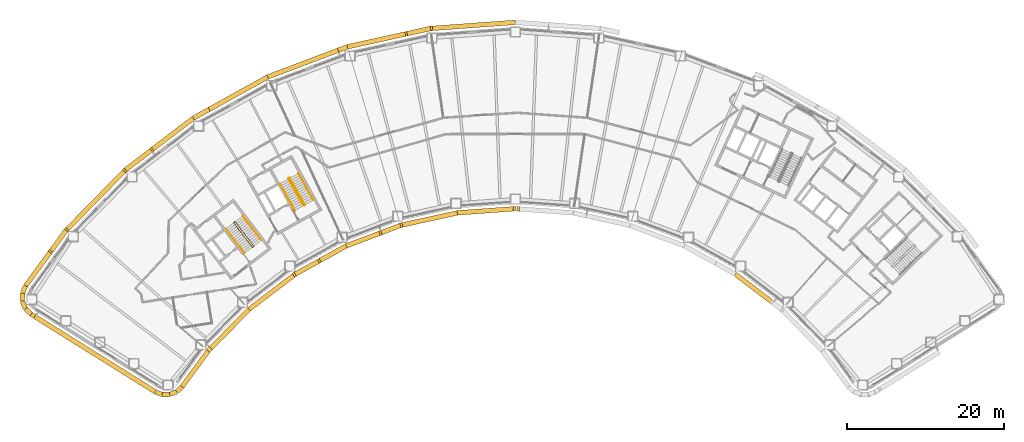
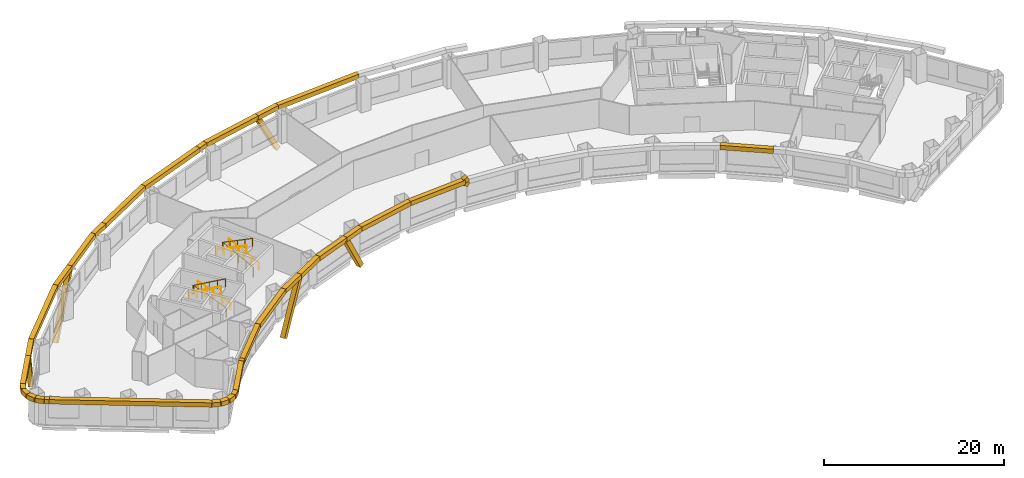
# One storey, part 12 of 14: 40 coverings, 6 railings.
"""IFC4 building model written with IfcOpenShell, lengths in metres."""

from ifc_helpers import new_model, si_unit, direction, frame, origin, origin_2d, place, context, subcontext, project, spatial, rectangle, circle, extrude, material, material_profile, profile_set, type_object, element, save


model = new_model("IFC4")

# Units and contexts
model_context = context("Model", 3, precision=1e-05, world=origin(), true_north=direction((0.0, 1.0)))
body_context = subcontext(model_context, "Body", "Model", "MODEL_VIEW")
ifc_project = project(units=[si_unit("LENGTHUNIT", "METRE"), si_unit("AREAUNIT", "SQUARE_METRE"), si_unit("VOLUMEUNIT", "CUBIC_METRE"), si_unit("PLANEANGLEUNIT", "RADIAN"), si_unit("MASSUNIT", "GRAM", prefix="KILO")], contexts=[model_context])

# Site, building, storey
site_placement = place(None, origin())
site = spatial("IfcSite", under=ifc_project, at=site_placement, CompositionType="ELEMENT")
building_placement = place(site_placement, origin())
building = spatial("IfcBuilding", under=site, at=building_placement, Name="Tuul Gate Civic Tower", CompositionType="ELEMENT")
storey_placement = place(building_placement, frame((0.0, 0.0, 44.10009765625)))
storey = spatial("IfcBuildingStorey", under=building, at=storey_placement, Name="Level 09", CompositionType="ELEMENT", Elevation=44.10009765625)

# Railings
ifc_material_1 = material(Name="Painted steel", Category="steel")
railing_type_1 = type_object("IfcRailingType", Name="Stair guard", PredefinedType="GUARDRAIL", material=ifc_material_1)
railing_1_placement = place(storey_placement, frame((-33.382080078125, -13.515380859375, 0.0)))
element("IfcRailing", 1, at=railing_1_placement, inside=storey, type_object=railing_type_1, Name="Level 09 ST-1 stair guard 1", PredefinedType="GUARDRAIL", context=body_context, shape_type="SweptSolid", body=[
    extrude(circle(Radius=0.02392578125, at=origin_2d()), frame((0.0, 0.0, 1.076171875), z_axis=(-0.795879841968, -0.605454603706, 0.0), x_axis=(0.605454603706, -0.795879841968, 0.0)), (0.0, 0.0, 1.0), 0.10009765625),
    extrude(circle(Radius=0.02392578125, at=origin_2d()), frame((-0.07958984375, -0.060546875, 1.076171875), z_axis=(0.408991890351, 0.599481263939, 0.688002796371), x_axis=(-0.826063974707, 0.563576356576, 0.0)), (0.0, 0.0, 1.0), 0.2177734375),
    extrude(circle(Radius=0.02392578125, at=origin_2d()), frame((0.009521484375, 0.070068359375, 1.22607421875), z_axis=(-0.541824460341, 0.711645023348, 0.447199748346), x_axis=(-0.795637165283, -0.60577347352, 0.0)), (0.0, 0.0, 1.0), 4.3603515625),
    extrude(circle(Radius=0.02392578125, at=origin_2d()), frame((-2.35302734375, 3.173095703125, 3.17578125), z_axis=(-0.990893089246, 0.134650977284, 0.0), x_axis=(-0.134650977284, -0.990893089246, 0.0)), (0.0, 0.0, 1.0), 0.07080078125),
    extrude(circle(Radius=0.02392578125, at=origin_2d()), frame((-2.423095703125, 3.1826171875, 3.17578125), z_axis=(-0.793802879778, -0.60817512943, 0.0), x_axis=(0.60817512943, -0.793802879778, 0.0)), (0.0, 0.0, 1.0), 0.099853515625),
    extrude(circle(Radius=0.02392578125, at=origin_2d()), frame((-2.50244140625, 3.121826171875, 3.17578125), z_axis=(-0.057370624079, -0.422188951554, 0.904690610473), x_axis=(0.990893089246, -0.134650977284, 0.0)), (0.0, 0.0, 1.0), 0.166015625),
    extrude(circle(Radius=0.02392578125, at=origin_2d()), frame((-2.511962890625, 3.0517578125, 3.326171875), z_axis=(0.541806494602, -0.71163897684, 0.447231136047), x_axis=(0.795644365679, 0.605764016233, 0.0)), (0.0, 0.0, 1.0), 4.360107421875),
    extrude(circle(Radius=0.02099609375, at=origin_2d()), origin(), (0.0, 0.0, 1.0), 1.052001953125),
    extrude(circle(Radius=0.02099609375, at=origin_2d()), frame((-0.07958984375, -0.060546875, 0.0)), (0.0, 0.0, 1.0), 1.052001953125),
    extrude(circle(Radius=0.02099609375, at=origin_2d()), frame((0.009521484375, 0.070068359375, 0.14990234375)), (0.0, 0.0, 1.0), 1.052001953125),
    extrude(circle(Radius=0.02099609375, at=origin_2d()), frame((-0.5810546875, 0.845703125, 0.637451171875)), (0.0, 0.0, 1.0), 1.052001953125),
    extrude(circle(Radius=0.02099609375, at=origin_2d()), frame((-1.171875, 1.62158203125, 1.125)), (0.0, 0.0, 1.0), 1.052001953125),
    extrude(circle(Radius=0.02099609375, at=origin_2d()), frame((-1.762451171875, 2.3974609375, 1.6123046875)), (0.0, 0.0, 1.0), 1.052001953125),
    extrude(circle(Radius=0.02099609375, at=origin_2d()), frame((-2.35302734375, 3.173095703125, 2.099853515625)), (0.0, 0.0, 1.0), 1.052001953125),
    extrude(circle(Radius=0.02099609375, at=origin_2d()), frame((-2.423095703125, 3.1826171875, 2.099853515625)), (0.0, 0.0, 1.0), 1.052001953125),
    extrude(circle(Radius=0.02099609375, at=origin_2d()), frame((-2.50244140625, 3.121826171875, 2.099853515625)), (0.0, 0.0, 1.0), 1.052001953125),
    extrude(circle(Radius=0.02099609375, at=origin_2d()), frame((-2.511962890625, 3.0517578125, 2.25)), (0.0, 0.0, 1.0), 1.052001953125),
    extrude(circle(Radius=0.02099609375, at=origin_2d()), frame((-1.92138671875, 2.276123046875, 2.737548828125)), (0.0, 0.0, 1.0), 1.052001953125),
    extrude(circle(Radius=0.02099609375, at=origin_2d()), frame((-1.330810546875, 1.50048828125, 3.22509765625)), (0.0, 0.0, 1.0), 1.052001953125),
    extrude(circle(Radius=0.02099609375, at=origin_2d()), frame((-0.740234375, 0.724609375, 3.71240234375)), (0.0, 0.0, 1.0), 1.052001953125),
    extrude(circle(Radius=0.02099609375, at=origin_2d()), frame((-0.149658203125, -0.051025390625, 4.199951171875)), (0.0, 0.0, 1.0), 1.052001953125),
])
railing_2_placement = place(storey_placement, frame((-26.857666015625, -8.247314453125, 0.0)))
element("IfcRailing", 2, at=railing_2_placement, inside=storey, type_object=railing_type_1, Name="Level 09 ST-2 stair guard 1", PredefinedType="GUARDRAIL", context=body_context, shape_type="SweptSolid", body=[
    extrude(circle(Radius=0.02392578125, at=origin_2d()), frame((0.0, 0.0, 1.076171875), z_axis=(-0.874616555828, -0.48481530532, 0.0), x_axis=(0.48481530532, -0.874616555828, 0.0)), (0.0, 0.0, 1.0), 0.10009765625),
    extrude(circle(Radius=0.02392578125, at=origin_2d()), frame((-0.087646484375, -0.048583984375, 1.076171875), z_axis=(0.49081399482, 0.534516610797, 0.688036056665), x_axis=(-0.736576986774, 0.676353711126, 0.0)), (0.0, 0.0, 1.0), 0.2177734375),
    extrude(circle(Radius=0.02392578125, at=origin_2d()), frame((0.019287109375, 0.06787109375, 1.22607421875), z_axis=(-0.43354991378, 0.782327185242, 0.447212083348), x_axis=(-0.874667644053, -0.484723129681, 0.0)), (0.0, 0.0, 1.0), 4.3603515625),
    extrude(circle(Radius=0.02392578125, at=origin_2d()), frame((-1.87109375, 3.47900390625, 3.17578125), z_axis=(-0.961263487578, 0.275631107549, 0.0), x_axis=(-0.275631107549, -0.961263487578, 0.0)), (0.0, 0.0, 1.0), 0.07080078125),
    extrude(circle(Radius=0.02392578125, at=origin_2d()), frame((-1.939208984375, 3.49853515625, 3.17578125), z_axis=(-0.874042088414, -0.485850211157, 0.0), x_axis=(0.485850211157, -0.874042088414, 0.0)), (0.0, 0.0, 1.0), 0.10009765625),
    extrude(circle(Radius=0.02392578125, at=origin_2d()), frame((-2.026611328125, 3.449951171875, 3.17578125), z_axis=(-0.117709570447, -0.409040757305, 0.904892322815), x_axis=(0.961000426733, -0.276546885391, 0.0)), (0.0, 0.0, 1.0), 0.166015625),
    extrude(circle(Radius=0.02392578125, at=origin_2d()), frame((-2.046142578125, 3.382080078125, 3.326171875), z_axis=(0.433595379963, -0.782308193291, 0.447201226726), x_axis=(0.874641102302, 0.484771020343, 0.0)), (0.0, 0.0, 1.0), 4.3603515625),
    extrude(circle(Radius=0.02099609375, at=origin_2d()), origin(), (0.0, 0.0, 1.0), 1.052001953125),
    extrude(circle(Radius=0.02099609375, at=origin_2d()), frame((-0.087646484375, -0.048583984375, 0.0)), (0.0, 0.0, 1.0), 1.052001953125),
    extrude(circle(Radius=0.02099609375, at=origin_2d()), frame((0.019287109375, 0.06787109375, 0.14990234375)), (0.0, 0.0, 1.0), 1.052001953125),
    extrude(circle(Radius=0.02099609375, at=origin_2d()), frame((-0.453369140625, 0.920654296875, 0.637451171875)), (0.0, 0.0, 1.0), 1.052001953125),
    extrude(circle(Radius=0.02099609375, at=origin_2d()), frame((-0.92578125, 1.7734375, 1.125)), (0.0, 0.0, 1.0), 1.052001953125),
    extrude(circle(Radius=0.02099609375, at=origin_2d()), frame((-1.3984375, 2.626220703125, 1.6123046875)), (0.0, 0.0, 1.0), 1.052001953125),
    extrude(circle(Radius=0.02099609375, at=origin_2d()), frame((-1.87109375, 3.47900390625, 2.099853515625)), (0.0, 0.0, 1.0), 1.052001953125),
    extrude(circle(Radius=0.02099609375, at=origin_2d()), frame((-1.939208984375, 3.49853515625, 2.099853515625)), (0.0, 0.0, 1.0), 1.052001953125),
    extrude(circle(Radius=0.02099609375, at=origin_2d()), frame((-2.026611328125, 3.449951171875, 2.099853515625)), (0.0, 0.0, 1.0), 1.052001953125),
    extrude(circle(Radius=0.02099609375, at=origin_2d()), frame((-2.046142578125, 3.382080078125, 2.25)), (0.0, 0.0, 1.0), 1.052001953125),
    extrude(circle(Radius=0.02099609375, at=origin_2d()), frame((-1.573486328125, 2.529296875, 2.737548828125)), (0.0, 0.0, 1.0), 1.052001953125),
    extrude(circle(Radius=0.02099609375, at=origin_2d()), frame((-1.100830078125, 1.676513671875, 3.22509765625)), (0.0, 0.0, 1.0), 1.052001953125),
    extrude(circle(Radius=0.02099609375, at=origin_2d()), frame((-0.628173828125, 0.82373046875, 3.71240234375)), (0.0, 0.0, 1.0), 1.052001953125),
    extrude(circle(Radius=0.02099609375, at=origin_2d()), frame((-0.155517578125, -0.029052734375, 4.199951171875)), (0.0, 0.0, 1.0), 1.052001953125),
])
ifc_material_2 = material(Name="Painted steel", Category="steel")
railing_type_2 = type_object("IfcRailingType", Name="Stair handrail", PredefinedType="HANDRAIL", material=ifc_material_2)
railing_3_placement = place(storey_placement, frame((-32.3779296875, -12.688232421875, 0.14990234375)))
element("IfcRailing", 3, at=railing_3_placement, inside=storey, type_object=railing_type_2, Name="Level 09 ST-1 stair handrail 1", PredefinedType="HANDRAIL", context=body_context, shape_type="SweptSolid", body=[
    extrude(circle(Radius=0.02392578125, at=origin_2d()), frame((0.0, 0.0, 0.8759765625), z_axis=(-0.541824460341, 0.711645023348, 0.447199748346), x_axis=(-0.795637165283, -0.60577347352, 0.0)), (0.0, 0.0, 1.0), 4.3603515625),
    extrude(circle(Radius=0.02099609375, at=origin_2d()), origin(), (0.0, 0.0, 1.0), 0.851806640625),
    extrude(circle(Radius=0.02099609375, at=origin_2d()), frame((-0.590576171875, 0.77587890625, 0.487548828125)), (0.0, 0.0, 1.0), 0.851806640625),
    extrude(circle(Radius=0.02099609375, at=origin_2d()), frame((-1.18115234375, 1.551513671875, 0.97509765625)), (0.0, 0.0, 1.0), 0.851806640625),
    extrude(circle(Radius=0.02099609375, at=origin_2d()), frame((-1.77197265625, 2.3271484375, 1.46240234375)), (0.0, 0.0, 1.0), 0.851806640625),
    extrude(circle(Radius=0.02099609375, at=origin_2d()), frame((-2.362548828125, 3.10302734375, 1.949951171875)), (0.0, 0.0, 1.0), 0.851806640625),
])
railing_4_placement = place(storey_placement, frame((-36.888671875, -11.220703125, 2.25)))
element("IfcRailing", 4, at=railing_4_placement, inside=storey, type_object=railing_type_2, Name="Level 09 ST-1 stair handrail 2", PredefinedType="HANDRAIL", context=body_context, shape_type="SweptSolid", body=[
    extrude(circle(Radius=0.02392578125, at=origin_2d()), frame((0.0, 0.0, 0.8759765625), z_axis=(0.541824460341, -0.711645023348, 0.447199748346), x_axis=(0.795637165283, 0.60577347352, 0.0)), (0.0, 0.0, 1.0), 4.3603515625),
    extrude(circle(Radius=0.02099609375, at=origin_2d()), origin(), (0.0, 0.0, 1.0), 0.851806640625),
    extrude(circle(Radius=0.02099609375, at=origin_2d()), frame((0.590576171875, -0.77587890625, 0.487548828125)), (0.0, 0.0, 1.0), 0.851806640625),
    extrude(circle(Radius=0.02099609375, at=origin_2d()), frame((1.18115234375, -1.551513671875, 0.97509765625)), (0.0, 0.0, 1.0), 0.851806640625),
    extrude(circle(Radius=0.02099609375, at=origin_2d()), frame((1.77197265625, -2.3271484375, 1.46240234375)), (0.0, 0.0, 1.0), 0.851806640625),
    extrude(circle(Radius=0.02099609375, at=origin_2d()), frame((2.362548828125, -3.10302734375, 1.949951171875)), (0.0, 0.0, 1.0), 0.851806640625),
])
railing_5_placement = place(storey_placement, frame((-25.744873046875, -7.573486328125, 0.14990234375)))
element("IfcRailing", 5, at=railing_5_placement, inside=storey, type_object=railing_type_2, Name="Level 09 ST-2 stair handrail 1", PredefinedType="HANDRAIL", context=body_context, shape_type="SweptSolid", body=[
    extrude(circle(Radius=0.02392578125, at=origin_2d()), frame((0.0, 0.0, 0.8759765625), z_axis=(-0.433595379963, 0.782308193291, 0.447201226726), x_axis=(-0.874641102302, -0.484771020343, 0.0)), (0.0, 0.0, 1.0), 4.3603515625),
    extrude(circle(Radius=0.02099609375, at=origin_2d()), origin(), (0.0, 0.0, 1.0), 0.851806640625),
    extrude(circle(Radius=0.02099609375, at=origin_2d()), frame((-0.47265625, 0.852783203125, 0.487548828125)), (0.0, 0.0, 1.0), 0.851806640625),
    extrude(circle(Radius=0.02099609375, at=origin_2d()), frame((-0.9453125, 1.70556640625, 0.97509765625)), (0.0, 0.0, 1.0), 0.851806640625),
    extrude(circle(Radius=0.02099609375, at=origin_2d()), frame((-1.41796875, 2.558349609375, 1.46240234375)), (0.0, 0.0, 1.0), 0.851806640625),
    extrude(circle(Radius=0.02099609375, at=origin_2d()), frame((-1.890625, 3.4111328125, 1.949951171875)), (0.0, 0.0, 1.0), 0.851806640625),
])
railing_6_placement = place(storey_placement, frame((-29.9970703125, -5.47119140625, 2.25)))
element("IfcRailing", 6, at=railing_6_placement, inside=storey, type_object=railing_type_2, Name="Level 09 ST-2 stair handrail 2", PredefinedType="HANDRAIL", context=body_context, shape_type="SweptSolid", body=[
    extrude(circle(Radius=0.02392578125, at=origin_2d()), frame((0.0, 0.0, 0.8759765625), z_axis=(0.433595379963, -0.782308193291, 0.447201226726), x_axis=(0.874641102302, 0.484771020343, 0.0)), (0.0, 0.0, 1.0), 4.3603515625),
    extrude(circle(Radius=0.02099609375, at=origin_2d()), origin(), (0.0, 0.0, 1.0), 0.851806640625),
    extrude(circle(Radius=0.02099609375, at=origin_2d()), frame((0.47265625, -0.852783203125, 0.487548828125)), (0.0, 0.0, 1.0), 0.851806640625),
    extrude(circle(Radius=0.02099609375, at=origin_2d()), frame((0.9453125, -1.70556640625, 0.97509765625)), (0.0, 0.0, 1.0), 0.851806640625),
    extrude(circle(Radius=0.02099609375, at=origin_2d()), frame((1.41796875, -2.558349609375, 1.46240234375)), (0.0, 0.0, 1.0), 0.851806640625),
    extrude(circle(Radius=0.02099609375, at=origin_2d()), frame((1.890625, -3.4111328125, 1.949951171875)), (0.0, 0.0, 1.0), 0.851806640625),
])

# Coverings
ifc_material_3 = material(Name="Terracotta baguette", Category="masonry")
ifc_material_profile = material_profile(ifc_material_3, rectangle(XDim=0.60009765625, YDim=0.60009765625, at=origin_2d()), Name="Terracotta baguette screen frame")
ifc_profile_set = profile_set([ifc_material_profile], Name="Terracotta baguette")
covering_type = type_object("IfcCoveringType", Name="Terracotta baguette screen frame", PredefinedType="CLADDING", material=ifc_profile_set)
covering_1_placement = place(storey_placement, frame((-10.822509765625, 14.318115234375, -1.756103515625), z_axis=(-0.464014404717, -0.102313854207, 0.879899146182), x_axis=(0.215324834594, -0.976542480186, 0.0)))
element("IfcCovering", 7, at=covering_1_placement, inside=storey, type_object=covering_type, Name="Baguette 82", PredefinedType="CLADDING", context=body_context, shape_type="SweptSolid", body=[
    extrude(rectangle(XDim=0.60009765625, YDim=0.60009765625, at=origin_2d()), origin(), (0.0, 0.0, 1.0), 6.37109375),
])
covering_2_placement = place(storey_placement, frame((-13.77880859375, 13.666259765625, 3.849853515625), z_axis=(-0.976546934006, -0.215304634606, 0.0), x_axis=(0.215304634606, -0.976546934006, 0.0)))
element("IfcCovering", 8, at=covering_2_placement, inside=storey, type_object=covering_type, Name="Baguette 89", PredefinedType="CLADDING", context=body_context, shape_type="SweptSolid", body=[
    extrude(rectangle(XDim=0.60009765625, YDim=0.60009765625, at=origin_2d()), origin(), (0.0, 0.0, 1.0), 7.82421875),
])
covering_3_placement = place(storey_placement, frame((-21.41943359375, 11.981689453125, 3.849853515625), z_axis=(-0.935401674011, -0.353586917544, 0.0), x_axis=(0.353586917544, -0.935401674011, 0.0)))
element("IfcCovering", 9, at=covering_3_placement, inside=storey, type_object=covering_type, Name="Baguette 90", PredefinedType="CLADDING", context=body_context, shape_type="SweptSolid", body=[
    extrude(rectangle(XDim=0.60009765625, YDim=0.60009765625, at=origin_2d()), origin(), (0.0, 0.0, 1.0), 1.248291015625),
])
covering_4_placement = place(storey_placement, frame((-39.040283203125, 4.003173828125, 3.849853515625), z_axis=(-0.874610686965, -0.484825892714, 0.0), x_axis=(0.484825892714, -0.874610686965, 0.0)))
element("IfcCovering", 10, at=covering_4_placement, inside=storey, type_object=covering_type, Name="Baguette 107", PredefinedType="CLADDING", context=body_context, shape_type="SweptSolid", body=[
    extrude(rectangle(XDim=0.60009765625, YDim=0.60009765625, at=origin_2d()), origin(), (0.0, 0.0, 1.0), 2.309326171875),
])
covering_5_placement = place(storey_placement, frame((-41.06005859375, 2.883544921875, 3.849853515625), z_axis=(-0.795625580524, -0.605788688914, 0.0), x_axis=(0.605788688914, -0.795625580524, 0.0)))
element("IfcCovering", 11, at=covering_5_placement, inside=storey, type_object=covering_type, Name="Baguette 108", PredefinedType="CLADDING", context=body_context, shape_type="SweptSolid", body=[
    extrude(rectangle(XDim=0.60009765625, YDim=0.60009765625, at=origin_2d()), origin(), (0.0, 0.0, 1.0), 6.763427734375),
])
covering_6_placement = place(storey_placement, frame((-46.441162109375, -1.213623046875, 3.849853515625), z_axis=(-0.378043496186, -0.287860173045, -0.879897514354), x_axis=(0.605812872991, -0.795607166206, 0.0)))
element("IfcCovering", 12, at=covering_6_placement, inside=storey, type_object=covering_type, Name="Baguette 111", PredefinedType="CLADDING", context=body_context, shape_type="SweptSolid", body=[
    extrude(rectangle(XDim=0.60009765625, YDim=0.60009765625, at=origin_2d()), origin(), (0.0, 0.0, 1.0), 8.603271484375),
])
covering_7_placement = place(storey_placement, frame((-57.28955078125, -11.439697265625, -2.08544921875), z_axis=(-0.281363429724, -0.385261476367, 0.878867575487), x_axis=(0.807564638355, -0.58977907294, 0.0)))
element("IfcCovering", 13, at=covering_7_placement, inside=storey, type_object=covering_type, Name="Baguette 124", PredefinedType="CLADDING", context=body_context, shape_type="SweptSolid", body=[
    extrude(rectangle(XDim=0.60009765625, YDim=0.60009765625, at=origin_2d()), origin(), (0.0, 0.0, 1.0), 6.75341796875),
])
covering_8_placement = place(storey_placement, frame((-59.189697265625, -14.04150390625, 3.849853515625), z_axis=(-0.589840017423, -0.80752012597, 0.0), x_axis=(0.80752012597, -0.589840017423, 0.0)))
element("IfcCovering", 14, at=covering_8_placement, inside=storey, type_object=covering_type, Name="Baguette 135", PredefinedType="CLADDING", context=body_context, shape_type="SweptSolid", body=[
    extrude(rectangle(XDim=0.60009765625, YDim=0.60009765625, at=origin_2d()), origin(), (0.0, 0.0, 1.0), 5.512451171875),
])
covering_9_placement = place(storey_placement, frame((-62.441162109375, -18.492919921875, 3.849853515625), z_axis=(-0.412928742672, -0.910763335601, 0.0), x_axis=(0.910763335601, -0.412928742672, 0.0)))
element("IfcCovering", 15, at=covering_9_placement, inside=storey, type_object=covering_type, Name="Baguette 136", PredefinedType="CLADDING", context=body_context, shape_type="SweptSolid", body=[
    extrude(rectangle(XDim=0.60009765625, YDim=0.60009765625, at=origin_2d()), origin(), (0.0, 0.0, 1.0), 0.9892578125),
])
covering_10_placement = place(storey_placement, frame((-62.849609375, -19.393798828125, 3.849853515625), z_axis=(-0.014650442147, -0.999892676513, 0.0), x_axis=(0.999892676513, -0.014650442147, 0.0)))
element("IfcCovering", 16, at=covering_10_placement, inside=storey, type_object=covering_type, Name="Baguette 137", PredefinedType="CLADDING", context=body_context, shape_type="SweptSolid", body=[
    extrude(rectangle(XDim=0.60009765625, YDim=0.60009765625, at=origin_2d()), origin(), (0.0, 0.0, 1.0), 1.06640625),
])
covering_11_placement = place(storey_placement, frame((-62.865234375, -20.460205078125, 3.849853515625), z_axis=(0.385784883999, -0.922588761734, 0.0), x_axis=(0.922588761734, 0.385784883999, 0.0)))
element("IfcCovering", 17, at=covering_11_placement, inside=storey, type_object=covering_type, Name="Baguette 138", PredefinedType="CLADDING", context=body_context, shape_type="SweptSolid", body=[
    extrude(rectangle(XDim=0.60009765625, YDim=0.60009765625, at=origin_2d()), origin(), (0.0, 0.0, 1.0), 1.06689453125),
])
covering_12_placement = place(storey_placement, frame((-62.45361328125, -21.444580078125, 3.849853515625), z_axis=(0.722137314744, -0.691749737011, 0.0), x_axis=(0.691749737011, 0.722137314744, 0.0)))
element("IfcCovering", 18, at=covering_12_placement, inside=storey, type_object=covering_type, Name="Baguette 139", PredefinedType="CLADDING", context=body_context, shape_type="SweptSolid", body=[
    extrude(rectangle(XDim=0.60009765625, YDim=0.60009765625, at=origin_2d()), origin(), (0.0, 0.0, 1.0), 0.98828125),
])
covering_13_placement = place(storey_placement, frame((-61.739990234375, -22.128173828125, 3.849853515625), z_axis=(0.848100314171, -0.529835688778, 0.0), x_axis=(0.529835688778, 0.848100314171, 0.0)))
element("IfcCovering", 19, at=covering_13_placement, inside=storey, type_object=covering_type, Name="Baguette 140", PredefinedType="CLADDING", context=body_context, shape_type="SweptSolid", body=[
    extrude(rectangle(XDim=0.60009765625, YDim=0.60009765625, at=origin_2d()), origin(), (0.0, 0.0, 1.0), 0.537841796875),
])
covering_14_placement = place(storey_placement, frame((-45.884765625, -32.035400390625, 3.849853515625), z_axis=(0.93189278144, -0.362733847194, 0.0), x_axis=(0.362733847194, 0.93189278144, 0.0)))
element("IfcCovering", 20, at=covering_14_placement, inside=storey, type_object=covering_type, Name="Baguette 165", PredefinedType="CLADDING", context=body_context, shape_type="SweptSolid", body=[
    extrude(rectangle(XDim=0.60009765625, YDim=0.60009765625, at=origin_2d()), origin(), (0.0, 0.0, 1.0), 0.901123046875),
])
covering_15_placement = place(storey_placement, frame((-45.044921875, -32.3623046875, 3.849853515625), z_axis=(0.999996192163, 0.002759648297, 0.0), x_axis=(-0.002759648297, 0.999996192163, 0.0)))
element("IfcCovering", 21, at=covering_15_placement, inside=storey, type_object=covering_type, Name="Baguette 166", PredefinedType="CLADDING", context=body_context, shape_type="SweptSolid", body=[
    extrude(rectangle(XDim=0.60009765625, YDim=0.60009765625, at=origin_2d()), origin(), (0.0, 0.0, 1.0), 0.97314453125),
])
covering_16_placement = place(storey_placement, frame((-44.07177734375, -32.359619140625, 3.849853515625), z_axis=(0.929647485715, 0.36845020329, 0.0), x_axis=(-0.36845020329, 0.929647485715, 0.0)))
element("IfcCovering", 22, at=covering_16_placement, inside=storey, type_object=covering_type, Name="Baguette 167", PredefinedType="CLADDING", context=body_context, shape_type="SweptSolid", body=[
    extrude(rectangle(XDim=0.60009765625, YDim=0.60009765625, at=origin_2d()), origin(), (0.0, 0.0, 1.0), 0.97412109375),
])
covering_17_placement = place(storey_placement, frame((-43.166259765625, -32.000732421875, 3.849853515625), z_axis=(0.730001285686, 0.683445771731, 0.0), x_axis=(-0.683445771731, 0.730001285686, 0.0)))
element("IfcCovering", 23, at=covering_17_placement, inside=storey, type_object=covering_type, Name="Baguette 168", PredefinedType="CLADDING", context=body_context, shape_type="SweptSolid", body=[
    extrude(rectangle(XDim=0.60009765625, YDim=0.60009765625, at=origin_2d()), origin(), (0.0, 0.0, 1.0), 0.902099609375),
])
covering_18_placement = place(storey_placement, frame((-42.5078125, -31.38427734375, 3.849853515625), z_axis=(0.589729447422, 0.807600878432, 0.0), x_axis=(-0.807600878432, 0.589729447422, 0.0)))
element("IfcCovering", 24, at=covering_18_placement, inside=storey, type_object=covering_type, Name="Baguette 169", PredefinedType="CLADDING", context=body_context, shape_type="SweptSolid", body=[
    extrude(rectangle(XDim=0.60009765625, YDim=0.60009765625, at=origin_2d()), origin(), (0.0, 0.0, 1.0), 5.671142578125),
])
covering_19_placement = place(storey_placement, frame((-39.163330078125, -26.80419921875, 3.849853515625), z_axis=(0.700143080351, 0.714002567948, 0.0), x_axis=(-0.714002567948, 0.700143080351, 0.0)))
element("IfcCovering", 25, at=covering_19_placement, inside=storey, type_object=covering_type, Name="Baguette 170", PredefinedType="CLADDING", context=body_context, shape_type="SweptSolid", body=[
    extrude(rectangle(XDim=0.60009765625, YDim=0.60009765625, at=origin_2d()), origin(), (0.0, 0.0, 1.0), 0.5107421875),
])
covering_20_placement = place(storey_placement, frame((-28.06884765625, -17.0126953125, -2.5625), z_axis=(0.407705939366, 0.226016759182, 0.884698983595), x_axis=(-0.484845174212, 0.87459999831, 0.0)))
element("IfcCovering", 26, at=covering_20_placement, inside=storey, type_object=covering_type, Name="Baguette 189", PredefinedType="CLADDING", context=body_context, shape_type="SweptSolid", body=[
    extrude(rectangle(XDim=0.60009765625, YDim=0.60009765625, at=origin_2d()), origin(), (0.0, 0.0, 1.0), 7.248046875),
])
covering_21_placement = place(storey_placement, frame((-25.11376953125, -15.37451171875, 3.849853515625), z_axis=(0.874630119213, 0.484790835893, 0.0), x_axis=(-0.484790835893, 0.874630119213, 0.0)))
element("IfcCovering", 27, at=covering_21_placement, inside=storey, type_object=covering_type, Name="Baguette 196", PredefinedType="CLADDING", context=body_context, shape_type="SweptSolid", body=[
    extrude(rectangle(XDim=0.60009765625, YDim=0.60009765625, at=origin_2d()), origin(), (0.0, 0.0, 1.0), 4.039306640625),
])
covering_22_placement = place(storey_placement, frame((-21.580810546875, -13.416259765625, 3.849853515625), z_axis=(0.935362476844, 0.353690594889, 0.0), x_axis=(-0.353690594889, 0.935362476844, 0.0)))
element("IfcCovering", 28, at=covering_22_placement, inside=storey, type_object=covering_type, Name="Baguette 197", PredefinedType="CLADDING", context=body_context, shape_type="SweptSolid", body=[
    extrude(rectangle(XDim=0.60009765625, YDim=0.60009765625, at=origin_2d()), origin(), (0.0, 0.0, 1.0), 4.8125),
])
covering_23_placement = place(storey_placement, frame((-17.079345703125, -11.714111328125, 3.849853515625), z_axis=(0.436019121692, 0.164866863567, -0.8847068683), x_axis=(-0.353679388764, 0.935366714163, 0.0)))
element("IfcCovering", 29, at=covering_23_placement, inside=storey, type_object=covering_type, Name="Baguette 200", PredefinedType="CLADDING", context=body_context, shape_type="SweptSolid", body=[
    extrude(rectangle(XDim=0.60009765625, YDim=0.60009765625, at=origin_2d()), origin(), (0.0, 0.0, 1.0), 5.588623046875),
])
for number, where, z_axis, x_axis, name in (
    (30, (0.0, -8.660888671875, 3.350830078125), (0.464874260037, -0.033761817768, 0.884732763051), (0.072434920849, 0.997373140926, 0.0), "Baguette 215"),
    (31, (0.0, -8.660888671875, 4.348876953125), (0.464874260037, -0.033761817768, -0.884732763051), (0.072434920849, 0.997373140926, 0.0), "Baguette 217"),
):
    element("IfcCovering", number, at=place(storey_placement, frame(where, z_axis=z_axis, x_axis=x_axis)), inside=storey, type_object=covering_type, Name=name, PredefinedType="CLADDING", context=body_context, shape_type="SweptSolid", body=[
        extrude(rectangle(XDim=0.60009765625, YDim=0.60009765625, at=origin_2d()), origin(), (0.0, 0.0, 1.0), 0.56396484375),
    ])
covering_24_placement = place(storey_placement, frame((28.06884765625, -17.0126953125, 3.849853515625), z_axis=(0.795578368083, -0.605850691373, 0.0), x_axis=(0.605850691373, 0.795578368083, 0.0)))
element("IfcCovering", 32, at=covering_24_placement, inside=storey, type_object=covering_type, Name="Baguette 243", PredefinedType="CLADDING", context=body_context, shape_type="SweptSolid", body=[
    extrude(rectangle(XDim=0.60009765625, YDim=0.60009765625, at=origin_2d()), origin(), (0.0, 0.0, 1.0), 5.9990234375),
])
covering_25_placement = place(storey_placement, frame((0.0, 15.10205078125, 3.849853515625), z_axis=(-0.997386817082, -0.072246363998, 0.0), x_axis=(0.072246363998, -0.997386817082, 0.0)))
element("IfcCovering", 33, at=covering_25_placement, inside=storey, type_object=covering_type, Name="Baguette 301", PredefinedType="CLADDING", context=body_context, shape_type="SweptSolid", body=[
    extrude(rectangle(XDim=0.60009765625, YDim=0.60009765625, at=origin_2d()), origin(), (0.0, 0.0, 1.0), 10.850830078125),
])
covering_26_placement = place(storey_placement, frame((-10.822509765625, 14.318115234375, 3.849853515625), z_axis=(-0.976542480186, -0.215324834594, 0.0), x_axis=(0.215324834594, -0.976542480186, 0.0)))
element("IfcCovering", 34, at=covering_26_placement, inside=storey, type_object=covering_type, Name="Baguette 302", PredefinedType="CLADDING", context=body_context, shape_type="SweptSolid", body=[
    extrude(rectangle(XDim=0.60009765625, YDim=0.60009765625, at=origin_2d()), origin(), (0.0, 0.0, 1.0), 3.02734375),
])
covering_27_placement = place(storey_placement, frame((-22.587158203125, 11.540283203125, 3.849853515625), z_axis=(-0.935374930246, -0.353657659139, 0.0), x_axis=(0.353657659139, -0.935374930246, 0.0)))
element("IfcCovering", 35, at=covering_27_placement, inside=storey, type_object=covering_type, Name="Baguette 303", PredefinedType="CLADDING", context=body_context, shape_type="SweptSolid", body=[
    extrude(rectangle(XDim=0.60009765625, YDim=0.60009765625, at=origin_2d()), origin(), (0.0, 0.0, 1.0), 9.6025390625),
])
covering_28_placement = place(storey_placement, frame((-31.569091796875, 8.144287109375, 3.849853515625), z_axis=(-0.874631408873, -0.48478850916, 0.0), x_axis=(0.48478850916, -0.874631408873, 0.0)))
element("IfcCovering", 36, at=covering_28_placement, inside=storey, type_object=covering_type, Name="Baguette 304", PredefinedType="CLADDING", context=body_context, shape_type="SweptSolid", body=[
    extrude(rectangle(XDim=0.60009765625, YDim=0.60009765625, at=origin_2d()), origin(), (0.0, 0.0, 1.0), 8.5419921875),
])
covering_29_placement = place(storey_placement, frame((-46.441162109375, -1.213623046875, 3.849853515625), z_axis=(-0.795607166206, -0.605812872991, 0.0), x_axis=(0.605812872991, -0.795607166206, 0.0)))
element("IfcCovering", 37, at=covering_29_placement, inside=storey, type_object=covering_type, Name="Baguette 311", PredefinedType="CLADDING", context=body_context, shape_type="SweptSolid", body=[
    extrude(rectangle(XDim=0.60009765625, YDim=0.60009765625, at=origin_2d()), origin(), (0.0, 0.0, 1.0), 4.087890625),
])
covering_30_placement = place(storey_placement, frame((-49.693603515625, -3.690185546875, 3.849853515625), z_axis=(-0.699995601925, -0.714147153804, 0.0), x_axis=(0.714147153804, -0.699995601925, 0.0)))
element("IfcCovering", 38, at=covering_30_placement, inside=storey, type_object=covering_type, Name="Baguette 312", PredefinedType="CLADDING", context=body_context, shape_type="SweptSolid", body=[
    extrude(rectangle(XDim=0.60009765625, YDim=0.60009765625, at=origin_2d()), origin(), (0.0, 0.0, 1.0), 10.851318359375),
])
covering_31_placement = place(storey_placement, frame((-57.28955078125, -11.439697265625, 3.849853515625), z_axis=(-0.58977907294, -0.807564638355, 0.0), x_axis=(0.807564638355, -0.58977907294, 0.0)))
element("IfcCovering", 39, at=covering_31_placement, inside=storey, type_object=covering_type, Name="Baguette 313", PredefinedType="CLADDING", context=body_context, shape_type="SweptSolid", body=[
    extrude(rectangle(XDim=0.60009765625, YDim=0.60009765625, at=origin_2d()), origin(), (0.0, 0.0, 1.0), 3.2216796875),
])
covering_32_placement = place(storey_placement, frame((-61.283935546875, -22.4130859375, 3.849853515625), z_axis=(0.848051326016, -0.529914095342, 0.0), x_axis=(0.529914095342, 0.848051326016, 0.0)))
element("IfcCovering", 40, at=covering_32_placement, inside=storey, type_object=covering_type, Name="Baguette 328", PredefinedType="CLADDING", context=body_context, shape_type="SweptSolid", body=[
    extrude(rectangle(XDim=0.60009765625, YDim=0.60009765625, at=origin_2d()), origin(), (0.0, 0.0, 1.0), 18.106201171875),
])
covering_33_placement = place(storey_placement, frame((-38.8056640625, -26.439453125, 3.849853515625), z_axis=(0.70002016801, 0.714123073692, 0.0), x_axis=(-0.714123073692, 0.70002016801, 0.0)))
element("IfcCovering", 41, at=covering_33_placement, inside=storey, type_object=covering_type, Name="Baguette 343", PredefinedType="CLADDING", context=body_context, shape_type="SweptSolid", body=[
    extrude(rectangle(XDim=0.60009765625, YDim=0.60009765625, at=origin_2d()), origin(), (0.0, 0.0, 1.0), 6.9072265625),
])
covering_34_placement = place(storey_placement, frame((-33.970458984375, -21.5068359375, 3.849853515625), z_axis=(0.795582797942, 0.60584487422, 0.0), x_axis=(-0.60584487422, 0.795582797942, 0.0)))
element("IfcCovering", 42, at=covering_34_placement, inside=storey, type_object=covering_type, Name="Baguette 344", PredefinedType="CLADDING", context=body_context, shape_type="SweptSolid", body=[
    extrude(rectangle(XDim=0.60009765625, YDim=0.60009765625, at=origin_2d()), origin(), (0.0, 0.0, 1.0), 7.41796875),
])
covering_35_placement = place(storey_placement, frame((-28.06884765625, -17.0126953125, 3.849853515625), z_axis=(0.87459999831, 0.484845174212, 0.0), x_axis=(-0.484845174212, 0.87459999831, 0.0)))
element("IfcCovering", 43, at=covering_35_placement, inside=storey, type_object=covering_type, Name="Baguette 345", PredefinedType="CLADDING", context=body_context, shape_type="SweptSolid", body=[
    extrude(rectangle(XDim=0.60009765625, YDim=0.60009765625, at=origin_2d()), origin(), (0.0, 0.0, 1.0), 3.378662109375),
])
covering_36_placement = place(storey_placement, frame((-17.079345703125, -11.714111328125, 3.849853515625), z_axis=(0.935366714163, 0.353679388764, 0.0), x_axis=(-0.353679388764, 0.935366714163, 0.0)))
element("IfcCovering", 44, at=covering_36_placement, inside=storey, type_object=covering_type, Name="Baguette 354", PredefinedType="CLADDING", context=body_context, shape_type="SweptSolid", body=[
    extrude(rectangle(XDim=0.60009765625, YDim=0.60009765625, at=origin_2d()), origin(), (0.0, 0.0, 1.0), 2.605224609375),
])
covering_37_placement = place(storey_placement, frame((-14.642578125, -10.792724609375, 3.849853515625), z_axis=(0.976558886135, 0.215250416748, 0.0), x_axis=(-0.215250416748, 0.976558886135, 0.0)))
element("IfcCovering", 45, at=covering_37_placement, inside=storey, type_object=covering_type, Name="Baguette 355", PredefinedType="CLADDING", context=body_context, shape_type="SweptSolid", body=[
    extrude(rectangle(XDim=0.60009765625, YDim=0.60009765625, at=origin_2d()), origin(), (0.0, 0.0, 1.0), 7.417724609375),
])
covering_38_placement = place(storey_placement, frame((-7.398681640625, -9.196044921875, 3.849853515625), z_axis=(0.997394311548, 0.072142825637, 0.0), x_axis=(-0.072142825637, 0.997394311548, 0.0)))
element("IfcCovering", 46, at=covering_38_placement, inside=storey, type_object=covering_type, Name="Baguette 356", PredefinedType="CLADDING", context=body_context, shape_type="SweptSolid", body=[
    extrude(rectangle(XDim=0.60009765625, YDim=0.60009765625, at=origin_2d()), origin(), (0.0, 0.0, 1.0), 7.41796875),
])

save(model, "model.ifc")
